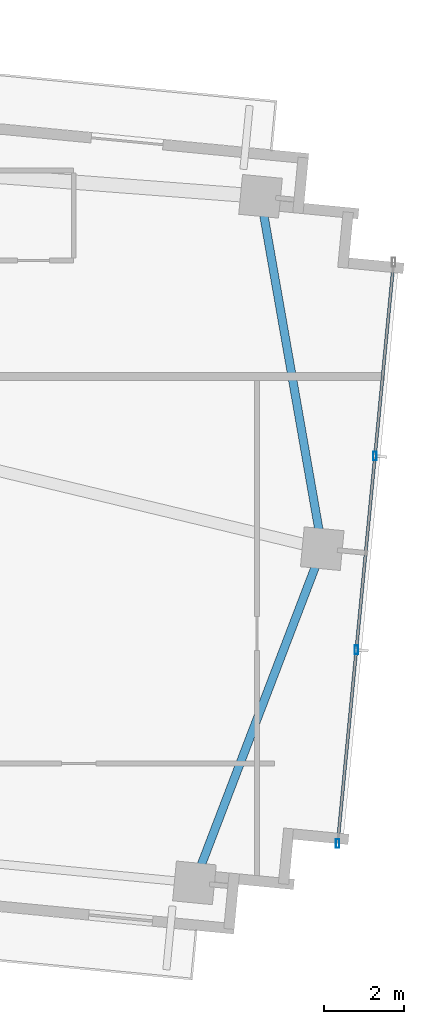
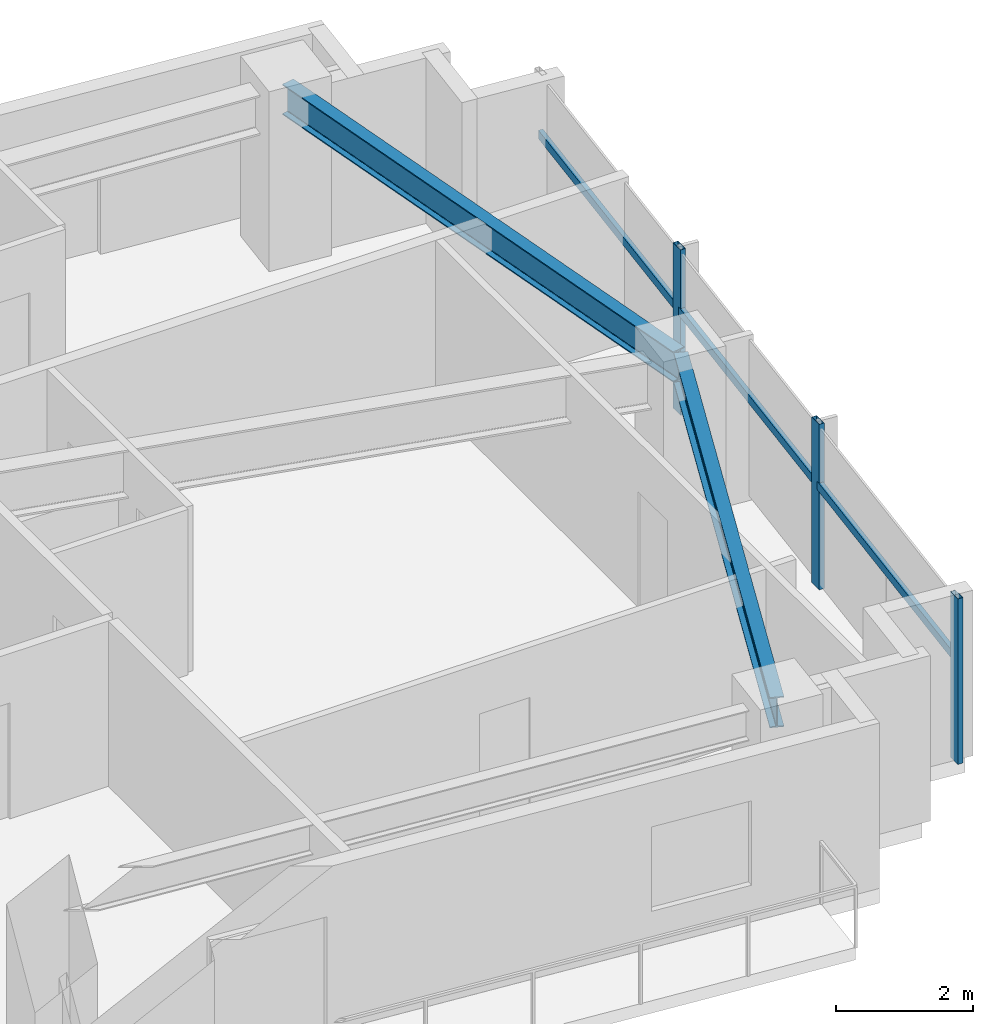
# One storey, part 11 of 20: 6 members, 2 beams, 1 element without a shape of its own.
"""IFC4 building model written with IfcOpenShell, lengths in metres."""

from ifc_helpers import new_model, si_unit, direction, frame, origin, origin_2d, place, context, subcontext, project, spatial, hollow_rectangle, i_section, extrude, source, transform, mapped, material, material_profile, profile_set, type_object, type_shapes, element, aggregate, save


model = new_model("IFC4")

# Units and contexts
model_context = context("Model", 3, precision=1e-05, world=origin(), true_north=direction((0.0, 1.0)))
body_context = subcontext(model_context, "Body", "Model", "MODEL_VIEW")
ifc_project = project(units=[si_unit("LENGTHUNIT", "METRE"), si_unit("AREAUNIT", "SQUARE_METRE"), si_unit("VOLUMEUNIT", "CUBIC_METRE"), si_unit("PLANEANGLEUNIT", "RADIAN"), si_unit("MASSUNIT", "GRAM", prefix="KILO")], contexts=[model_context])

# Site, building, storey
site_placement = place(None, origin())
site = spatial("IfcSite", under=ifc_project, at=site_placement, CompositionType="ELEMENT")
building_placement = place(site_placement, origin())
building = spatial("IfcBuilding", under=site, at=building_placement, Name="Astriad Promenade Condominiums", CompositionType="ELEMENT")
storey_placement = place(building_placement, frame((0.0, 0.0, 156.60009765625)))
storey = spatial("IfcBuildingStorey", under=building, at=storey_placement, Name="L45", CompositionType="ELEMENT", Elevation=156.60009765625)

# Beams
ifc_material_1 = material(Name="Steel ASTM A992 Grade 50", Category="steel")
ifc_material_profile_1 = material_profile(ifc_material_1, i_section(OverallWidth=0.210693359375, OverallDepth=0.53955078125, WebThickness=0.01171875, FlangeThickness=0.018798828125, FilletRadius=0.0166015625, at=origin_2d()), Name="W21X73")
ifc_profile_set_1 = profile_set([ifc_material_profile_1], Name="Steel ASTM A992 Grade 50")
beam_type = type_object("IfcBeamType", Name="STEEL SPANDREL BEAM W21X73", PredefinedType="SPANDREL", material=ifc_profile_set_1)
shared_shape_1 = source(origin(), body_context, "Body", "SweptSolid", [
    extrude(i_section(OverallWidth=0.210693359375, OverallDepth=0.53955078125, WebThickness=0.01171875, FlangeThickness=0.018798828125, FilletRadius=0.0166015625, at=origin_2d()), origin(), (0.0, 0.0, 1.0), 8.8623046875),
])
type_shapes(beam_type, [shared_shape_1])
for number, where, z_axis, x_axis, name in (
    (1, (55.081298828125, 6.033447265625, 2.670166015625), (0.357298632827, 0.933990196405, 0.0), (-0.933990196405, 0.357298632827, 0.0), "Perimeter Spandrel Beam SP-E1-L45"),
    (2, (58.25537109375, 14.3876953125, 2.670166015625), (-0.172532686951, 0.985003792852, 0.0), (-0.985003792852, -0.172532686951, 0.0), "Perimeter Spandrel Beam SP-E2-L45"),
):
    element("IfcBeam", number, at=place(storey_placement, frame(where, z_axis=z_axis, x_axis=x_axis)), inside=storey, type_object=beam_type, Name=name, PredefinedType="SPANDREL", context=body_context, shape_type="MappedRepresentation", body=[
        mapped(shared_shape_1, transform((0.0, 0.0, 0.0), scale=1.0)),
    ])

# Curtain wall, members
ifc_material_2 = material(Name="Anodised aluminium Black Dark Glass Unitised", Category="aluminium")
curtain_wall_type = type_object("IfcCurtainWallType", Name="CW-B34-DARK", PredefinedType="USERDEFINED", material=ifc_material_2)
curtain_wall_placement = place(storey_placement, origin())
curtain_wall = element("IfcCurtainWall", 3, at=curtain_wall_placement, inside=storey, type_object=curtain_wall_type, Name="CW-L45-E", ObjectType="UNITISED_CURTAIN_WALL", PredefinedType="USERDEFINED")
ifc_material_3 = material(Name="Anodised aluminium 6063-T6 Black", Category="aluminium")
ifc_material_profile_2 = material_profile(ifc_material_3, hollow_rectangle(XDim=0.0849609375, YDim=0.219970703125, WallThickness=0.0048828125, at=origin_2d()), Name="ALU-MUL-85X220")
ifc_profile_set_2 = profile_set([ifc_material_profile_2], Name="Anodised aluminium 6063-T6 Black")
member_type_1 = type_object("IfcMemberType", Name="MUL-ALU-MUL-85X220", PredefinedType="MULLION", material=ifc_profile_set_2)
shared_shape_2 = source(origin(), body_context, "Body", "SweptSolid", [
    extrude(hollow_rectangle(XDim=0.0849609375, YDim=0.219970703125, WallThickness=0.0048828125, at=origin_2d()), origin(), (0.0, 0.0, 1.0), 2.93994140625),
])
type_shapes(member_type_1, [shared_shape_2])
member_1_placement = place(storey_placement, frame((59.580322265625, 16.666015625, 0.0), z_axis=(0.0, 0.0, 1.0), x_axis=(1.0, 0.0, 0.0)))
member_1 = element("IfcMember", 4, at=member_1_placement, type_object=member_type_1, Name="CW-L45-E-MUL-01", PredefinedType="MULLION", context=body_context, shape_type="MappedRepresentation", body=[
    mapped(shared_shape_2, transform((0.0, 0.0, 0.0), scale=1.0)),
])
member_2_placement = place(storey_placement, frame((59.114013671875, 11.82177734375, 0.0), z_axis=(0.0, 0.0, 1.0), x_axis=(1.0, 0.0, 0.0)))
member_2 = element("IfcMember", 5, at=member_2_placement, type_object=member_type_1, Name="CW-L45-E-MUL-02", PredefinedType="MULLION", context=body_context, shape_type="MappedRepresentation", body=[
    mapped(shared_shape_2, transform((0.0, 0.0, 0.0), scale=1.0)),
])
member_3_placement = place(storey_placement, frame((58.6474609375, 6.977294921875, 0.0), z_axis=(0.0, 0.0, 1.0), x_axis=(1.0, 0.0, 0.0)))
member_3 = element("IfcMember", 6, at=member_3_placement, type_object=member_type_1, Name="CW-L45-E-MUL-03", PredefinedType="MULLION", context=body_context, shape_type="MappedRepresentation", body=[
    mapped(shared_shape_2, transform((0.0, 0.0, 0.0), scale=1.0)),
])
ifc_material_profile_3 = material_profile(ifc_material_3, hollow_rectangle(XDim=0.074951171875, YDim=0.14990234375, WallThickness=0.004150390625, at=origin_2d()), Name="ALU-TRN-75X150")
ifc_profile_set_3 = profile_set([ifc_material_profile_3], Name="Anodised aluminium 6063-T6 Black")
member_type_2 = type_object("IfcMemberType", Name="TRN-ALU-TRN-75X150", PredefinedType="USERDEFINED", material=ifc_profile_set_3)
shared_shape_3 = source(origin(), body_context, "Body", "SweptSolid", [
    extrude(hollow_rectangle(XDim=0.074951171875, YDim=0.14990234375, WallThickness=0.004150390625, at=origin_2d()), origin(), (0.0, 0.0, 1.0), 4.86669921875),
])
member_4_placement = place(storey_placement, frame((60.046875, 21.51025390625, 1.82275390625), z_axis=(-0.095867260207, -0.995394127178, 0.0), x_axis=(0.995394127178, -0.095867260207, 0.0)))
member_4 = element("IfcMember", 7, at=member_4_placement, type_object=member_type_2, Name="CW-L45-E-TRN-00-0", ObjectType="TRANSOM", PredefinedType="USERDEFINED", context=body_context, shape_type="MappedRepresentation", body=[
    mapped(shared_shape_3, transform((0.0, 0.0, 0.0), scale=1.0)),
])
member_5_placement = place(storey_placement, frame((59.580322265625, 16.666015625, 1.82275390625), z_axis=(-0.095817554883, -0.995398913088, 0.0), x_axis=(0.995398913088, -0.095817554883, 0.0)))
member_5 = element("IfcMember", 8, at=member_5_placement, type_object=member_type_2, Name="CW-L45-E-TRN-01-0", ObjectType="TRANSOM", PredefinedType="USERDEFINED", context=body_context, shape_type="MappedRepresentation", body=[
    mapped(shared_shape_3, transform((0.0, 0.0, 0.0), scale=1.0)),
])
shared_shape_4 = source(origin(), body_context, "Body", "SweptSolid", [
    extrude(hollow_rectangle(XDim=0.074951171875, YDim=0.14990234375, WallThickness=0.004150390625, at=origin_2d()), origin(), (0.0, 0.0, 1.0), 4.866943359375),
])
type_shapes(member_type_2, [shared_shape_3, shared_shape_4])
member_6_placement = place(storey_placement, frame((59.114013671875, 11.82177734375, 1.82275390625), z_axis=(-0.095862473318, -0.995394588196, 0.0), x_axis=(0.995394588196, -0.095862473318, 0.0)))
member_6 = element("IfcMember", 9, at=member_6_placement, type_object=member_type_2, Name="CW-L45-E-TRN-02-0", ObjectType="TRANSOM", PredefinedType="USERDEFINED", context=body_context, shape_type="MappedRepresentation", body=[
    mapped(shared_shape_4, transform((0.0, 0.0, 0.0), scale=1.0)),
])
aggregate(curtain_wall, [member_1, member_2, member_3, member_4, member_5, member_6])

save(model, "model.ifc")
